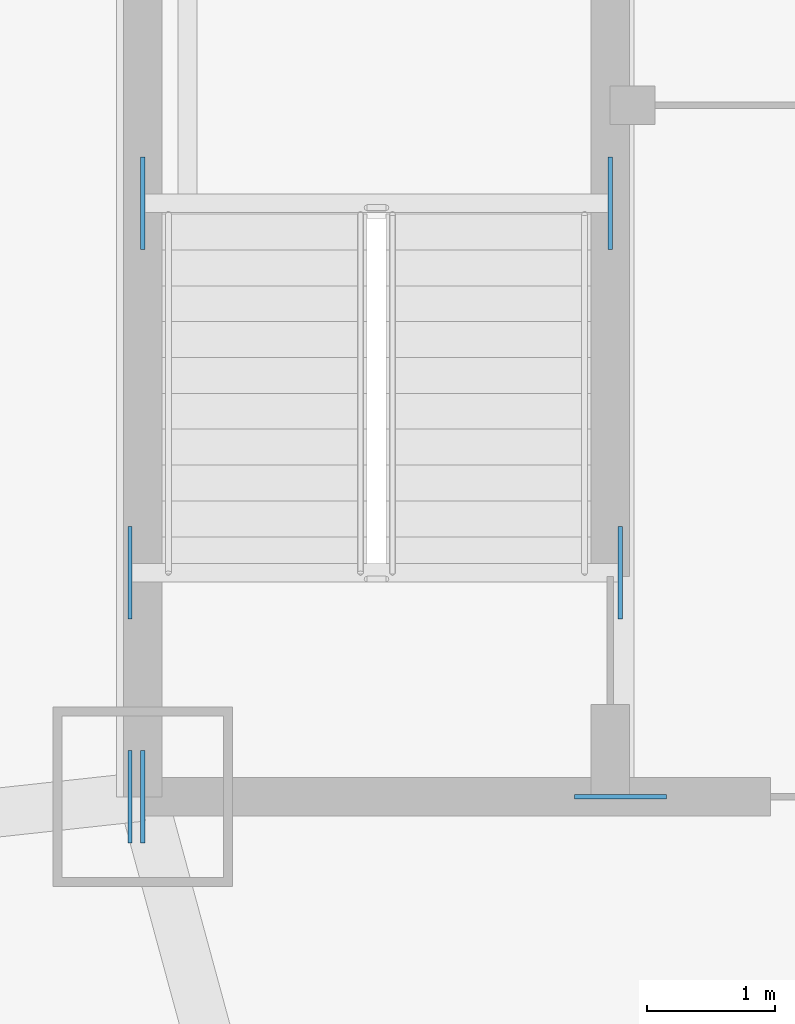
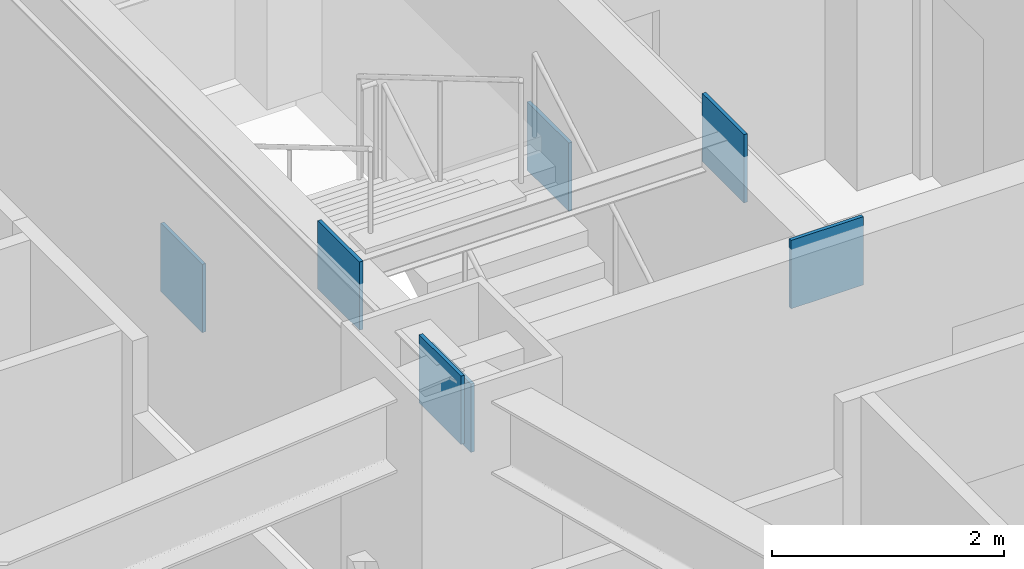
# One storey, part 3 of 18: 7 plates.
"""IFC4 building model written with IfcOpenShell, lengths in metres."""

import ifcopenshell
import ifcopenshell.guid

model = None  # the IFC model being written
_history = None  # IfcOwnerHistory: only IFC2X3 demands one
_inside = {}  # id of a spatial element -> (the spatial element, [elements in it])
_under = {}  # id of a project, library or spatial element -> (it, [spatial elements below it])
_declared = {}  # id of a project -> (the project, [libraries it declares])
_typed = {}  # id of a type object -> (the type object, [elements of that type])
_made_of = {}  # id of a material, layer set ... -> (it, [elements and type objects made of it])


def new_model(schema):
    """Start an empty IFC model of exactly this schema.

    Asked for "IFC4X3", IfcOpenShell would pick the latest addendum, in which some entities
    have other attributes; the version numbers below select the first issue.
    IFC2X3 requires an IfcOwnerHistory on every rooted entity: one is made here for all.
    """
    global model, _history
    if schema == "IFC4X3":
        model = ifcopenshell.file(schema_version=(4, 3, 0, 0))
    else:
        model = ifcopenshell.file(schema=schema)
    _inside.clear()
    _under.clear()
    _declared.clear()
    _typed.clear()
    _made_of.clear()
    _history = None
    if model.schema == "IFC2X3":
        org = make("IfcOrganization", Name="unknown")
        user = make(
            "IfcPersonAndOrganization",
            ThePerson=make("IfcPerson", FamilyName="unknown"),
            TheOrganization=org,
        )
        app = make(
            "IfcApplication",
            ApplicationDeveloper=org,
            Version="unknown",
            ApplicationFullName="unknown",
            ApplicationIdentifier="unknown",
        )
        _history = make(
            "IfcOwnerHistory",
            OwningUser=user,
            OwningApplication=app,
            ChangeAction="ADDED",
            CreationDate=0,
        )
    return model


def make(cls, **values):
    """One entity of the class cls with the attributes given. An attribute that is None is left unset."""
    return model.create_entity(
        cls, **{name: value for name, value in values.items() if value is not None}
    )


def rooted(cls, **values):
    """An entity with a GlobalId (a new one), such as an element, a storey or a relation."""
    return make(cls, GlobalId=ifcopenshell.guid.new(), OwnerHistory=_history, **values)


def si_unit(unit_type, name, prefix=None):
    """IfcSIUnit, for example si_unit("LENGTHUNIT", "METRE", prefix="MILLI")."""
    return make("IfcSIUnit", UnitType=unit_type, Prefix=prefix, Name=name)


def assignment(units):
    """IfcUnitAssignment: the units of a project."""
    return None if units is None else make("IfcUnitAssignment", Units=units)


def point(xyz):
    """IfcCartesianPoint."""
    return None if xyz is None else make("IfcCartesianPoint", Coordinates=xyz)


def direction(xyz):
    """IfcDirection."""
    return None if xyz is None else make("IfcDirection", DirectionRatios=xyz)


def frame(location, z_axis=None, x_axis=None):
    """IfcAxis2Placement3D, a coordinate frame: its origin and axes. An axis left out is left unset."""
    return make(
        "IfcAxis2Placement3D",
        Location=point(location),
        Axis=direction(z_axis),
        RefDirection=direction(x_axis),
    )


def frame_2d(location, x_axis=None):
    """IfcAxis2Placement2D, a coordinate frame in the plane: its origin and x axis."""
    return make(
        "IfcAxis2Placement2D", Location=point(location), RefDirection=direction(x_axis)
    )


def origin():
    """The frame at (0, 0, 0) with its axes left unset."""
    return frame((0.0, 0.0, 0.0))


def origin_2d():
    """The frame at (0, 0) in the plane with its x axis left unset."""
    return frame_2d((0.0, 0.0))


def place(relative_to, where):
    """IfcLocalPlacement: puts the frame where relative to a parent placement (None: the world)."""
    return make(
        "IfcLocalPlacement", PlacementRelTo=relative_to, RelativePlacement=where
    )


def context(
    kind, dimensions, precision=None, world=None, true_north=None, identifier=None
):
    """IfcGeometricRepresentationContext, for example the 3D "Model" context."""
    return make(
        "IfcGeometricRepresentationContext",
        ContextIdentifier=identifier,
        ContextType=kind,
        CoordinateSpaceDimension=dimensions,
        Precision=precision,
        WorldCoordinateSystem=world,
        TrueNorth=true_north,
    )


def subcontext(parent, identifier, kind, view, scale=None):
    """IfcGeometricRepresentationSubContext, for example "Body" below "Model"."""
    return make(
        "IfcGeometricRepresentationSubContext",
        ContextIdentifier=identifier,
        ContextType=kind,
        ParentContext=parent,
        TargetScale=scale,
        TargetView=view,
    )


def project(units=None, contexts=None):
    """IfcProject with its units and contexts."""
    return rooted(
        "IfcProject",
        Name="project",
        RepresentationContexts=contexts,
        UnitsInContext=assignment(units),
    )


def spatial(cls, under=None, at=None, **own):
    """A site, building, storey or space (cls), placed at a placement, below another one or the project."""
    s = rooted(cls, ObjectPlacement=at, **own)
    if under is not None:
        _under.setdefault(under.id(), (under, []))[1].append(s)
    return s


def profile(cls, at=None, kind="AREA", **sizes):
    """A parametric profile (cls). Its sizes go by their IFC names, for example OverallWidth=200.0."""
    return make(cls, ProfileType=kind, Position=at, **sizes)


def rectangle(**sizes):
    """IfcRectangleProfileDef."""
    return profile("IfcRectangleProfileDef", **sizes)


def extrude(swept, where, along, depth):
    """IfcExtrudedAreaSolid: the profile swept, set in the frame where, extruded along a direction by depth."""
    return make(
        "IfcExtrudedAreaSolid",
        SweptArea=swept,
        Position=where,
        ExtrudedDirection=direction(along),
        Depth=depth,
    )


def shape(context_of_items, identifier, shape_type, items):
    """IfcShapeRepresentation: the items that make up one representation, for example the "Body"."""
    return make(
        "IfcShapeRepresentation",
        ContextOfItems=context_of_items,
        RepresentationIdentifier=identifier,
        RepresentationType=shape_type,
        Items=items,
    )


def material(Name=None, Category=None):
    """IfcMaterial."""
    return make("IfcMaterial", Name=Name, Category=Category)


def layer(
    of_material, thickness, ventilated=None, Name=None, Category=None, Priority=None
):
    """IfcMaterialLayer: one layer of a wall or slab, of a material (None: an air gap)."""
    return make(
        "IfcMaterialLayer",
        Material=of_material,
        LayerThickness=thickness,
        IsVentilated=ventilated,
        Name=Name,
        Category=Category,
        Priority=Priority,
    )


def layer_set(layers, Name=None):
    """IfcMaterialLayerSet."""
    return make("IfcMaterialLayerSet", MaterialLayers=layers, LayerSetName=Name)


def made_of(thing, what):
    """Note that an element or type object is made of a material, layer set ...; save() writes the relation."""
    if what is not None:
        _made_of.setdefault(what.id(), (what, []))[1].append(thing)
    return thing


def type_object(cls, material=None, **own):
    """A type object (cls), such as IfcWallType, which elements share."""
    return made_of(rooted(cls, **own), material)


def element(
    cls,
    number,
    at=None,
    inside=None,
    cuts=None,
    type_object=None,
    material=None,
    context=None,
    identifier="Body",
    shape_type=None,
    held_by="IfcProductDefinitionShape",
    body=None,
    shapes=None,
    **own,
):
    """One element of the class cls, such as IfcWall. Its Tag is "e" and its number.

    at: its placement. inside: the storey or other place that contains it. cuts: it is an
    opening in that element (IfcRelVoidsElement). A single representation is given by context,
    identifier, shape_type and body (its items); several are given by shapes. held_by: the class
    of the entity that holds the representations. save() writes the other relations.
    """
    e = rooted(cls, Tag="e%d" % number, ObjectPlacement=at, **own)
    if body is not None:
        shapes = [shape(context, identifier, shape_type, body)]
    if shapes is not None:
        e.Representation = make(held_by, Representations=shapes)
    if inside is not None:
        _inside.setdefault(inside.id(), (inside, []))[1].append(e)
    if cuts is not None:
        rooted(
            "IfcRelVoidsElement", RelatingBuildingElement=cuts, RelatedOpeningElement=e
        )
    if type_object is not None:
        _typed.setdefault(type_object.id(), (type_object, []))[1].append(e)
    return made_of(e, material)


def aggregate(whole, parts):
    """IfcRelAggregates: a whole, such as a stair, and the parts it consists of."""
    return rooted("IfcRelAggregates", RelatingObject=whole, RelatedObjects=parts)


def save(model, path):
    """Write the relations noted so far, then the file.

    IfcRelAggregates (storeys below a building ...), IfcRelContainedInSpatialStructure (elements
    in a storey), IfcRelDefinesByType, IfcRelAssociatesMaterial and IfcRelDeclares: one each for
    every whole, place, type object, material and project.
    """
    for whole, parts in _under.values():
        aggregate(whole, parts)
    for where, things in _inside.values():
        rooted(
            "IfcRelContainedInSpatialStructure",
            RelatedElements=things,
            RelatingStructure=where,
        )
    for kind, things in _typed.values():
        rooted("IfcRelDefinesByType", RelatedObjects=things, RelatingType=kind)
    for what, things in _made_of.values():
        rooted("IfcRelAssociatesMaterial", RelatedObjects=things, RelatingMaterial=what)
    for by, libraries in _declared.values():
        rooted("IfcRelDeclares", RelatingContext=by, RelatedDefinitions=libraries)
    model.write(path)


model = new_model("IFC4")

# Units and contexts
model_context = context("Model", 3, precision=1e-05, world=origin(), true_north=direction((0.0, 1.0)))
body_context = subcontext(model_context, "Body", "Model", "MODEL_VIEW")
ifc_project = project(units=[si_unit("LENGTHUNIT", "METRE"), si_unit("AREAUNIT", "SQUARE_METRE"), si_unit("VOLUMEUNIT", "CUBIC_METRE"), si_unit("PLANEANGLEUNIT", "RADIAN"), si_unit("MASSUNIT", "GRAM", prefix="KILO")], contexts=[model_context])

# Site, building, storey
site_placement = place(None, origin())
site = spatial("IfcSite", under=ifc_project, at=site_placement, CompositionType="ELEMENT")
building_placement = place(site_placement, origin())
building = spatial("IfcBuilding", under=site, at=building_placement, Name="Khamvora Tower", CompositionType="ELEMENT")
storey_placement = place(building_placement, frame((0.0, 0.0, 33.300048828125)))
storey = spatial("IfcBuildingStorey", under=building, at=storey_placement, Name="L07", CompositionType="ELEMENT", Elevation=33.300048828125)

# Plates
ifc_material = material(Name="Steel S460", Category="steel")
ifc_layer = layer(ifc_material, 0.034912109375)
ifc_layer_set = layer_set([ifc_layer], Name="Steel S460")
plate_type = type_object("IfcPlateType", Name="PL-EMB-35", PredefinedType="SHEET", material=ifc_layer_set)
for number, where, z_axis, x_axis, name in (
    (1, (29.0, 23.635009765625, 1.1337890625), (0.0, 0.0, 1.0), (1.0, 0.0, 0.0), "L07 core shear wall cast-in embed plate 0227"),
    (2, (32.64990234375, 23.635009765625, 1.1337890625), (0.0, 0.0, 1.0), (1.0, 0.0, 0.0), "L07 core shear wall cast-in embed plate 0228"),
    (3, (29.0, 19.0, 2.68310546875), (0.0, 0.0, 1.0), (1.0, 0.0, 0.0), "L07 core shear wall cast-in embed plate 0236"),
    (4, (28.89990234375, 19.0, 2.802734375), (0.0, 0.0, 1.0), (1.0, 0.0, 0.0), "L07 core shear wall cast-in embed plate 0240"),
):
    element("IfcPlate", number, at=place(storey_placement, frame(where, z_axis=z_axis, x_axis=x_axis)), inside=storey, type_object=plate_type, Name=name, PredefinedType="SHEET", context=body_context, shape_type="SweptSolid", body=[
        extrude(rectangle(XDim=0.034912109375, YDim=0.719970703125, at=origin_2d()), origin(), (0.0, 0.0, 1.0), 0.719970703125),
    ])
plate_placement = place(storey_placement, frame((32.72998046875, 19.0, 2.802734375), z_axis=(0.0, 0.0, 1.0), x_axis=(1.0, 0.0, 0.0)))
element("IfcPlate", 5, at=plate_placement, inside=storey, type_object=plate_type, Name="L07 core shear wall cast-in embed plate 0243", PredefinedType="SHEET", context=body_context, shape_type="SweptSolid", body=[
    extrude(rectangle(XDim=0.719970703125, YDim=0.034912109375, at=origin_2d()), origin(), (0.0, 0.0, 1.0), 0.719970703125),
])
for number, where, z_axis, x_axis, name in (
    (6, (28.89990234375, 20.75, 2.94384765625), (0.0, 0.0, 1.0), (1.0, 0.0, 0.0), "L07 core shear wall cast-in embed plate 0249"),
    (7, (32.72998046875, 20.75, 2.94384765625), (0.0, 0.0, 1.0), (1.0, 0.0, 0.0), "L07 core shear wall cast-in embed plate 0250"),
):
    element("IfcPlate", number, at=place(storey_placement, frame(where, z_axis=z_axis, x_axis=x_axis)), inside=storey, type_object=plate_type, Name=name, PredefinedType="SHEET", context=body_context, shape_type="SweptSolid", body=[
        extrude(rectangle(XDim=0.034912109375, YDim=0.719970703125, at=origin_2d()), origin(), (0.0, 0.0, 1.0), 0.719970703125),
    ])

save(model, "model.ifc")
